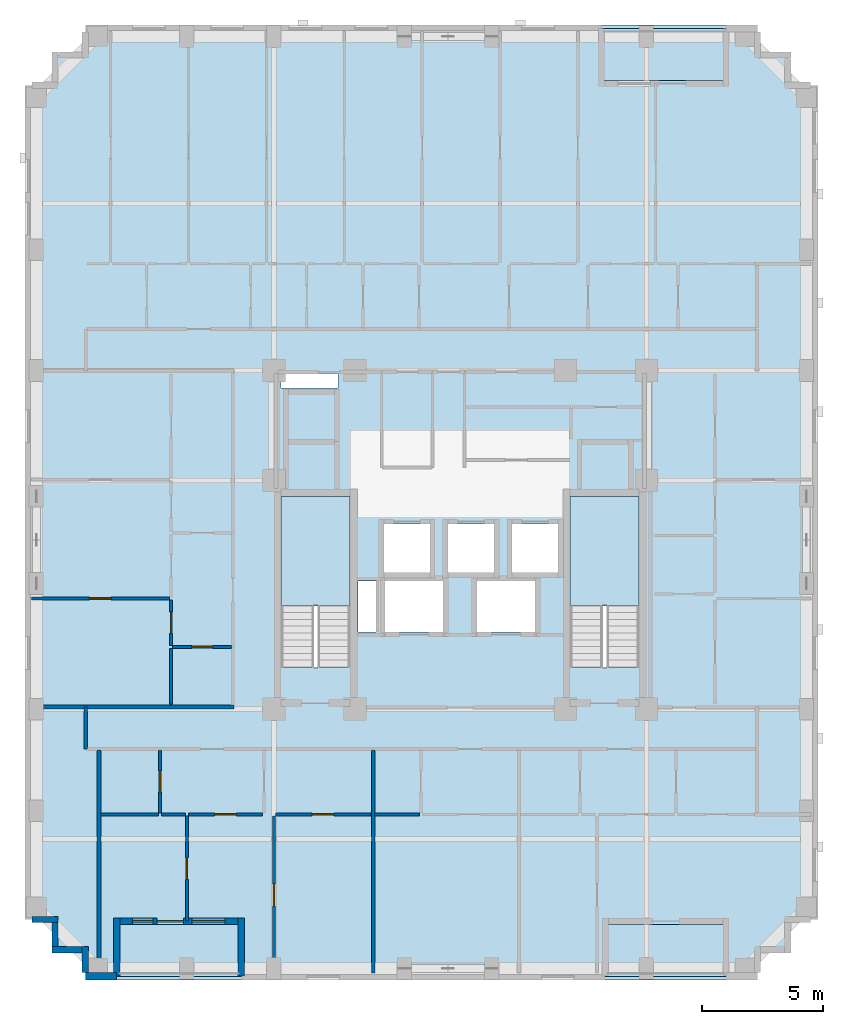
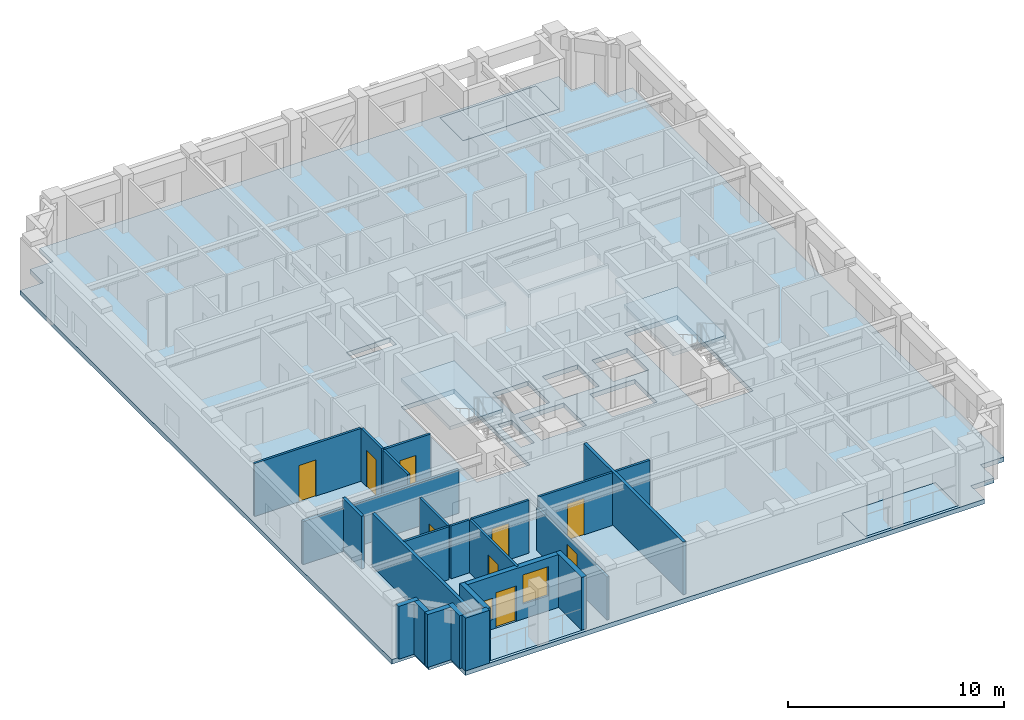
# One storey, part 2 of 11: 24 walls, 9 doors, 6 slabs, 2 windows, 11 openings, 2 elements without a shape of their own.
"""IFC4 building model written with IfcOpenShell, lengths in metres."""

from ifc_helpers import new_model, si_unit, derived_unit, direction, frame, frame_2d, origin, place, context, subcontext, project, spatial, polyline, rectangle, outline, extrude, material, layer, layer_set, type_object, element, fill, aggregate, save


model = new_model("IFC4")

# Units and contexts
model_context = context("Model", 3, precision=1e-05, world=origin(), true_north=direction((0.0, 1.0)))
body_context = subcontext(model_context, "Body", "Model", "MODEL_VIEW")
ifc_project = project(units=[si_unit("LENGTHUNIT", "METRE"), si_unit("AREAUNIT", "SQUARE_METRE"), si_unit("VOLUMEUNIT", "CUBIC_METRE"), si_unit("PLANEANGLEUNIT", "RADIAN"), si_unit("MASSUNIT", "GRAM", prefix="KILO"), derived_unit("THERMALTRANSMITTANCEUNIT", [(si_unit("MASSUNIT", "GRAM", prefix="KILO"), 1), (si_unit("TIMEUNIT", "SECOND"), -3), (si_unit("THERMODYNAMICTEMPERATUREUNIT", "KELVIN"), -1)])], contexts=[model_context])

# Site, building, storey
site_placement = place(None, origin())
site = spatial("IfcSite", under=ifc_project, at=site_placement, CompositionType="ELEMENT")
building_placement = place(site_placement, origin())
building = spatial("IfcBuilding", under=site, at=building_placement, Name="Korrvale Station Residences", CompositionType="ELEMENT")
storey_placement = place(building_placement, frame((0.0, 0.0, 156.89990234375)))
storey = spatial("IfcBuildingStorey", under=building, at=storey_placement, Name="L45", CompositionType="ELEMENT", Elevation=156.89990234375)

# Slabs
ifc_material_1 = material(Name="Concrete C50/60", Category="concrete")
ifc_layer_1 = layer(ifc_material_1, 0.219970703125, Name="Concrete C50/60")
ifc_layer_set_1 = layer_set([ifc_layer_1], Name="Concrete C50/60")
slab_type_1 = type_object("IfcSlabType", Name="SLB-BAL-220", PredefinedType="FLOOR", material=ifc_layer_set_1)
slab_1_placement = place(storey_placement, frame((0.0, 0.0, -0.219970703125)))
element("IfcSlab", 1, at=slab_1_placement, inside=storey, type_object=slab_type_1, Name="L45 Recessed Loggia Balcony Slab BAL-L45-S1", PredefinedType="FLOOR", context=body_context, shape_type="SweptSolid", body=[
    extrude(outline(polyline([(11.300048828125, 3.949951171875), (16.449951171875, 3.949951171875), (16.449951171875, 6.10009765625), (11.300048828125, 6.10009765625), (11.300048828125, 3.949951171875)])), origin(), (0.0, 0.0, 1.0), 0.219970703125),
])
slab_2_placement = place(storey_placement, frame((0.0, 0.0, -0.219970703125)))
element("IfcSlab", 2, at=slab_2_placement, inside=storey, type_object=slab_type_1, Name="L45 Recessed Loggia Balcony Slab BAL-L45-N1", PredefinedType="FLOOR", context=body_context, shape_type="SweptSolid", body=[
    extrude(outline(polyline([(31.35009765625, 41.0), (36.5, 41.0), (36.5, 43.14990234375), (31.35009765625, 43.14990234375), (31.35009765625, 41.0)])), origin(), (0.0, 0.0, 1.0), 0.219970703125),
])
slab_3_placement = place(storey_placement, frame((0.0, 0.0, -0.219970703125)))
element("IfcSlab", 3, at=slab_3_placement, inside=storey, type_object=slab_type_1, Name="L45 Recessed Loggia Balcony Slab BAL-L45-S2", PredefinedType="FLOOR", context=body_context, shape_type="SweptSolid", body=[
    extrude(outline(polyline([(31.5, 3.949951171875), (36.5, 3.949951171875), (36.5, 6.10009765625), (31.5, 6.10009765625), (31.5, 3.949951171875)])), origin(), (0.0, 0.0, 1.0), 0.219970703125),
])
ifc_layer_2 = layer(ifc_material_1, 0.260009765625, Name="Concrete C50/60")
ifc_layer_set_2 = layer_set([ifc_layer_2], Name="Concrete C50/60")
slab_type_2 = type_object("IfcSlabType", Name="SLB-FLR-260", PredefinedType="FLOOR", material=ifc_layer_set_2)
slab_4_placement = place(storey_placement, frame((0.0, 0.0, -0.260009765625)))
element("IfcSlab", 4, at=slab_4_placement, inside=storey, type_object=slab_type_2, Name="L45 Suspended Structural Floor Slab", PredefinedType="FLOOR", context=body_context, shape_type="SweptSolid", body=[
    extrude(outline(polyline([(10.0, 3.800048828125), (37.800048828125, 3.800048828125), (37.800048828125, 5.050048828125), (39.050048828125, 5.050048828125), (39.050048828125, 6.300048828125), (40.300048828125, 6.300048828125), (40.300048828125, 40.800048828125), (39.050048828125, 40.800048828125), (39.050048828125, 42.050048828125), (37.800048828125, 42.050048828125), (37.800048828125, 43.300048828125), (10.0, 43.300048828125), (10.0, 42.050048828125), (8.75, 42.050048828125), (8.75, 40.800048828125), (7.5, 40.800048828125), (7.5, 6.300048828125), (8.75, 6.300048828125), (8.75, 5.050048828125), (10.0, 5.050048828125), (10.0, 3.800048828125)]), holes=[polyline([(20.949951171875, 16.751953125), (20.949951171875, 23.800048828125), (18.10009765625, 23.800048828125), (18.10009765625, 16.751953125), (20.949951171875, 16.751953125)]), polyline([(32.89990234375, 16.751953125), (32.89990234375, 23.800048828125), (30.050048828125, 23.800048828125), (30.050048828125, 16.751953125), (32.89990234375, 16.751953125)]), polyline([(22.35009765625, 20.64990234375), (24.25, 20.64990234375), (24.25, 22.64990234375), (22.35009765625, 22.64990234375), (22.35009765625, 20.64990234375)]), polyline([(25.0, 20.64990234375), (26.89990234375, 20.64990234375), (26.89990234375, 22.64990234375), (25.0, 22.64990234375), (25.0, 20.64990234375)]), polyline([(27.64990234375, 20.64990234375), (29.550048828125, 20.64990234375), (29.550048828125, 22.64990234375), (27.64990234375, 22.64990234375), (27.64990234375, 20.64990234375)]), polyline([(22.39990234375, 18.199951171875), (24.800048828125, 18.199951171875), (24.800048828125, 20.300048828125), (22.39990234375, 20.300048828125), (22.39990234375, 18.199951171875)]), polyline([(26.199951171875, 18.199951171875), (28.60009765625, 18.199951171875), (28.60009765625, 20.300048828125), (26.199951171875, 20.300048828125), (26.199951171875, 18.199951171875)]), polyline([(18.10009765625, 28.280029296875), (20.449951171875, 28.280029296875), (20.449951171875, 28.8798828125), (18.10009765625, 28.8798828125), (18.10009765625, 28.280029296875)]), polyline([(21.280029296875, 18.199951171875), (22.02001953125, 18.199951171875), (22.02001953125, 20.300048828125), (21.280029296875, 20.300048828125), (21.280029296875, 18.199951171875)]), polyline([(11.300048828125, 3.949951171875), (16.449951171875, 3.949951171875), (16.449951171875, 6.10009765625), (11.300048828125, 6.10009765625), (11.300048828125, 3.949951171875)]), polyline([(31.35009765625, 41.0), (36.5, 41.0), (36.5, 43.14990234375), (31.35009765625, 43.14990234375), (31.35009765625, 41.0)]), polyline([(31.5, 3.949951171875), (36.5, 3.949951171875), (36.5, 6.10009765625), (31.5, 6.10009765625), (31.5, 3.949951171875)])]), origin(), (0.0, 0.0, 1.0), 0.260009765625),
])

# Stair, slab
stair_type = type_object("IfcStairType", Name="STR-DL-1350-20R-1625", PredefinedType="HALF_TURN_STAIR", material=ifc_material_1)
stair_1_placement = place(storey_placement, origin())
stair_1 = element("IfcStair", 5, at=stair_1_placement, inside=storey, type_object=stair_type, Name="L45 Exit Stair 1", PredefinedType="HALF_TURN_STAIR")
ifc_layer_3 = layer(ifc_material_1, 0.199951171875, Name="Concrete C50/60")
ifc_layer_set_3 = layer_set([ifc_layer_3], Name="Concrete C50/60")
slab_type_3 = type_object("IfcSlabType", Name="SLB-LND-200", PredefinedType="LANDING", material=ifc_layer_set_3)
slab_5_placement = place(storey_placement, frame((0.0, 0.0, 1.425048828125)))
slab_5 = element("IfcSlab", 6, at=slab_5_placement, type_object=slab_type_3, Name="ST-1 landing 1", PredefinedType="LANDING", context=body_context, shape_type="SweptSolid", body=[
    extrude(outline(polyline([(20.949951171875, 19.27001953125), (20.949951171875, 23.800048828125), (18.10009765625, 23.800048828125), (18.10009765625, 19.27001953125), (20.949951171875, 19.27001953125)])), origin(), (0.0, 0.0, 1.0), 0.199951171875),
])
aggregate(stair_1, [slab_5])

stair_2_placement = place(storey_placement, origin())
stair_2 = element("IfcStair", 7, at=stair_2_placement, inside=storey, type_object=stair_type, Name="L45 Exit Stair 2", PredefinedType="HALF_TURN_STAIR")
slab_6_placement = place(storey_placement, frame((0.0, 0.0, 1.425048828125)))
slab_6 = element("IfcSlab", 8, at=slab_6_placement, type_object=slab_type_3, Name="ST-2 landing 1", PredefinedType="LANDING", context=body_context, shape_type="SweptSolid", body=[
    extrude(outline(polyline([(32.89990234375, 19.27001953125), (32.89990234375, 23.800048828125), (30.050048828125, 23.800048828125), (30.050048828125, 19.27001953125), (32.89990234375, 19.27001953125)])), origin(), (0.0, 0.0, 1.0), 0.199951171875),
])
aggregate(stair_2, [slab_6])

# Wall
ifc_material_2 = material(Name="Precast concrete C45/55", Category="concrete")
ifc_layer_4 = layer(ifc_material_2, 0.260009765625, Name="Precast concrete C45/55")
ifc_layer_set_4 = layer_set([ifc_layer_4], Name="Precast concrete C45/55")
wall_type_1 = type_object("IfcWallType", Name="WAL-EXT-LOG260", PredefinedType="SOLIDWALL", material=ifc_layer_set_4)
wall_1_placement = place(storey_placement, frame((16.449951171875, 3.9599609375, 0.0), z_axis=(0.0, 0.0, 1.0), x_axis=(0.0, 1.0, 0.0)))
element("IfcWall", 9, at=wall_1_placement, inside=storey, type_object=wall_type_1, Name="L45 Recessed Loggia Wall BAL-L45-S1-L", PredefinedType="SOLIDWALL", context=body_context, shape_type="SweptSolid", body=[
    extrude(rectangle(XDim=2.400146484375, YDim=0.260009765625, at=frame_2d((1.2001953125, 0.0))), origin(), (0.0, 0.0, 1.0), 2.989990234375),
])

# Wall, openings, door, windows
wall_2_placement = place(storey_placement, frame((16.31591796875, 6.22998046875, 0.0), z_axis=(0.0, 0.0, 1.0), x_axis=(-1.0, 0.0, 0.0)))
wall_2 = element("IfcWall", 10, at=wall_2_placement, inside=storey, type_object=wall_type_1, Name="L45 Recessed Loggia Wall BAL-L45-S1-B", PredefinedType="SOLIDWALL", context=body_context, shape_type="SweptSolid", body=[
    extrude(rectangle(XDim=4.8818359375, YDim=0.260009765625, at=frame_2d((2.44091796875, 0.0))), origin(), (0.0, 0.0, 1.0), 2.989990234375),
])
opening_1_placement = place(wall_2_placement, frame((2.256103515625, 0.0, 0.0)))
opening_1 = element("IfcOpeningElement", 11, at=opening_1_placement, cuts=wall_2, Name="Opening BD-01", PredefinedType="OPENING", context=body_context, shape_type="SweptSolid", body=[
    extrude(rectangle(XDim=1.10009765625, YDim=2.0, at=frame_2d((0.550048828125, 1.0))), frame((0.0, 0.14013671875, 0.0), z_axis=(0.0, -1.0, 0.0), x_axis=(1.0, 0.0, 0.0)), (0.0, 0.0, 1.0), 0.280029296875),
])
opening_2_placement = place(wall_2_placement, frame((3.51611328125, 0.0, 0.550048828125)))
opening_2 = element("IfcOpeningElement", 12, at=opening_2_placement, cuts=wall_2, Name="Opening W-11", PredefinedType="OPENING", context=body_context, shape_type="SweptSolid", body=[
    extrude(rectangle(XDim=0.85009765625, YDim=1.199951171875, at=frame_2d((0.425048828125, 0.60009765625))), frame((0.0, 0.14013671875, 0.0), z_axis=(0.0, -1.0, 0.0), x_axis=(1.0, 0.0, 0.0)), (0.0, 0.0, 1.0), 0.280029296875),
])
opening_3_placement = place(wall_2_placement, frame((0.544921875, 0.0, 0.85009765625)))
opening_3 = element("IfcOpeningElement", 13, at=opening_3_placement, cuts=wall_2, Name="Opening W-06", PredefinedType="OPENING", context=body_context, shape_type="SweptSolid", body=[
    extrude(rectangle(XDim=1.35009765625, YDim=1.64990234375, at=frame_2d((0.675048828125, 0.824951171875))), frame((0.0, 0.14013671875, 0.0), z_axis=(0.0, -1.0, 0.0), x_axis=(1.0, 0.0, 0.0)), (0.0, 0.0, 1.0), 0.280029296875),
])
ifc_material_3 = material(Name="Exterior thermally broken aluminium glazed balcony door", Category="aluminium")
door_type_1 = type_object("IfcDoorType", Name="DR-EXT-BAL", OperationType="NOTDEFINED", PredefinedType="DOOR", material=ifc_material_3)
door_1_placement = place(opening_1_placement, origin())
door_1 = element("IfcDoor", 14, at=door_1_placement, inside=storey, type_object=door_type_1, Name="L45 Loggia Balcony Door BAL-L45-S1", OperationType="SINGLE_SWING_LEFT", OverallHeight=2.0, OverallWidth=1.10009765625, PredefinedType="DOOR", context=body_context, shape_type="SweptSolid", body=[
    extrude(rectangle(XDim=1.10009765625, YDim=2.0, at=frame_2d((0.550048828125, 1.0))), frame((0.0, 0.02490234375, 0.0), z_axis=(0.0, -1.0, 0.0), x_axis=(1.0, 0.0, 0.0)), (0.0, 0.0, 1.0), 0.050048828125),
])
fill(opening_1, door_1)
ifc_material_4 = material(Name="Thermally broken aluminium frame with triple low-e glazing", Category="aluminium")
window_type_1 = type_object("IfcWindowType", Name="WIN-W06", PartitioningType="SINGLE_PANEL", PredefinedType="WINDOW", material=ifc_material_4)
window_1_placement = place(opening_3_placement, origin())
window_1 = element("IfcWindow", 15, at=window_1_placement, inside=storey, type_object=window_type_1, Name="L45 Punched Window 02", OverallHeight=1.64990234375, OverallWidth=1.35009765625, PartitioningType="SINGLE_PANEL", PredefinedType="WINDOW", context=body_context, shape_type="SweptSolid", body=[
    extrude(rectangle(XDim=1.35009765625, YDim=1.64990234375, at=frame_2d((0.675048828125, 0.824951171875))), frame((0.0, 0.030029296875, 0.0), z_axis=(0.0, -1.0, 0.0), x_axis=(1.0, 0.0, 0.0)), (0.0, 0.0, 1.0), 0.06005859375),
])
fill(opening_3, window_1)
window_type_2 = type_object("IfcWindowType", Name="WIN-W11", PartitioningType="SINGLE_PANEL", PredefinedType="WINDOW", material=ifc_material_4)
window_2_placement = place(opening_2_placement, origin())
window_2 = element("IfcWindow", 16, at=window_2_placement, inside=storey, type_object=window_type_2, Name="L45 Punched Window 01", OverallHeight=1.199951171875, OverallWidth=0.85009765625, PartitioningType="SINGLE_PANEL", PredefinedType="WINDOW", context=body_context, shape_type="SweptSolid", body=[
    extrude(rectangle(XDim=0.85009765625, YDim=1.199951171875, at=frame_2d((0.425048828125, 0.60009765625))), frame((0.0, 0.030029296875, 0.0), z_axis=(0.0, -1.0, 0.0), x_axis=(1.0, 0.0, 0.0)), (0.0, 0.0, 1.0), 0.06005859375),
])
fill(opening_2, window_2)

# Walls
wall_3_placement = place(storey_placement, frame((11.300048828125, 6.360107421875, 0.0), z_axis=(0.0, 0.0, 1.0), x_axis=(0.0, -1.0, 0.0)))
element("IfcWall", 17, at=wall_3_placement, inside=storey, type_object=wall_type_1, Name="L45 Recessed Loggia Wall BAL-L45-S1-R", PredefinedType="SOLIDWALL", context=body_context, shape_type="SweptSolid", body=[
    extrude(rectangle(XDim=2.400146484375, YDim=0.260009765625, at=frame_2d((1.2001953125, 0.0))), origin(), (0.0, 0.0, 1.0), 2.989990234375),
])
wall_4_placement = place(storey_placement, frame((10.0, 4.10205078125, 0.0), z_axis=(0.0, 0.0, 1.0), x_axis=(0.0, 1.0, 0.0)))
element("IfcWall", 18, at=wall_4_placement, inside=storey, type_object=wall_type_1, Name="L45 Serrated Corner Precast Step SW-1", PredefinedType="SOLIDWALL", context=body_context, shape_type="SweptSolid", body=[
    extrude(rectangle(XDim=1.077880859375, YDim=0.260009765625, at=frame_2d((0.5390625, 0.0))), origin(), (0.0, 0.0, 1.0), 2.989990234375),
])
wall_5_placement = place(storey_placement, frame((9.867919921875, 5.050048828125, 0.0), z_axis=(0.0, 0.0, 1.0), x_axis=(-1.0, 0.0, 0.0)))
element("IfcWall", 19, at=wall_5_placement, inside=storey, type_object=wall_type_1, Name="L45 Serrated Corner Precast Step SW-2", PredefinedType="SOLIDWALL", context=body_context, shape_type="SweptSolid", body=[
    extrude(rectangle(XDim=1.247802734375, YDim=0.260009765625, at=frame_2d((0.6240234375, 0.0))), origin(), (0.0, 0.0, 1.0), 2.989990234375),
])
wall_6_placement = place(storey_placement, frame((8.75, 5.181884765625, 0.0), z_axis=(0.0, 0.0, 1.0), x_axis=(0.0, 1.0, 0.0)))
element("IfcWall", 20, at=wall_6_placement, inside=storey, type_object=wall_type_1, Name="L45 Serrated Corner Precast Step SW-3", PredefinedType="SOLIDWALL", context=body_context, shape_type="SweptSolid", body=[
    extrude(rectangle(XDim=0.986083984375, YDim=0.260009765625, at=frame_2d((0.4931640625, 0.0))), origin(), (0.0, 0.0, 1.0), 2.989990234375),
])
wall_7_placement = place(storey_placement, frame((8.8798828125, 6.300048828125, 0.0), z_axis=(0.0, 0.0, 1.0), x_axis=(-1.0, 0.0, 0.0)))
element("IfcWall", 21, at=wall_7_placement, inside=storey, type_object=wall_type_1, Name="L45 Serrated Corner Precast Step SW-4", PredefinedType="SOLIDWALL", context=body_context, shape_type="SweptSolid", body=[
    extrude(rectangle(XDim=1.077880859375, YDim=0.260009765625, at=frame_2d((0.5390625, 0.0))), origin(), (0.0, 0.0, 1.0), 2.989990234375),
])
ifc_layer_5 = layer(ifc_material_2, 0.300048828125, Name="Precast concrete C45/55")
ifc_layer_set_5 = layer_set([ifc_layer_5], Name="Precast concrete C45/55")
wall_type_2 = type_object("IfcWallType", Name="WAL-EXT-PC300", PredefinedType="SOLIDWALL", material=ifc_layer_set_5)
wall_8_placement = place(storey_placement, frame((11.300048828125, 3.949951171875, 0.0), z_axis=(0.0, 0.0, 1.0), x_axis=(-1.0, 0.0, 0.0)))
element("IfcWall", 22, at=wall_8_placement, inside=storey, type_object=wall_type_2, Name="L45 South Exterior Precast Wall 3", PredefinedType="SOLIDWALL", context=body_context, shape_type="SweptSolid", body=[
    extrude(rectangle(XDim=1.300048828125, YDim=0.300048828125, at=frame_2d((0.64990234375, 0.0))), origin(), (0.0, 0.0, 1.0), 2.989990234375),
])

# Wall, opening, door
ifc_material_5 = material(Name="Acoustic steel-stud gypsum board partition", Category="steel")
ifc_layer_6 = layer(ifc_material_5, 0.1201171875, Name="Acoustic steel-stud gypsum board partition")
ifc_layer_set_6 = layer_set([ifc_layer_6], Name="Acoustic steel-stud gypsum board partition")
wall_type_3 = type_object("IfcWallType", Name="WAL-PART-125", PredefinedType="PARTITIONING", material=ifc_layer_set_6)
wall_9_placement = place(storey_placement, frame((13.090087890625, 10.7099609375, 0.0), z_axis=(0.0, 0.0, 1.0), x_axis=(0.0, 1.0, 0.0)))
wall_9 = element("IfcWall", 23, at=wall_9_placement, inside=storey, type_object=wall_type_3, Name="L45 Suite Partition U01-V01", PredefinedType="PARTITIONING", context=body_context, shape_type="SweptSolid", body=[
    extrude(rectangle(XDim=2.60009765625, YDim=0.1201171875, at=frame_2d((1.300048828125, 0.0))), origin(), (0.0, 0.0, 1.0), 2.989990234375),
])
opening_4_placement = place(wall_9_placement, frame((0.8701171875, 0.0, 0.0)))
opening_4 = element("IfcOpeningElement", 24, at=opening_4_placement, cuts=wall_9, Name="Opening DB-860", PredefinedType="OPENING", context=body_context, shape_type="SweptSolid", body=[
    extrude(rectangle(XDim=0.860107421875, YDim=2.050048828125, at=frame_2d((0.43017578125, 1.02490234375))), frame((0.0, 0.070068359375, 0.0), z_axis=(0.0, -1.0, 0.0), x_axis=(1.0, 0.0, 0.0)), (0.0, 0.0, 1.0), 0.14013671875),
])
ifc_material_6 = material(Name="Moisture-resistant solid-core bathroom door", Category="timber")
door_type_2 = type_object("IfcDoorType", Name="DR-BATH-860", OperationType="NOTDEFINED", PredefinedType="DOOR", material=ifc_material_6)
door_2_placement = place(opening_4_placement, origin())
door_2 = element("IfcDoor", 25, at=door_2_placement, inside=storey, type_object=door_type_2, Name="L45 Apartment 1BR L45-U01 Bathroom Door", OperationType="SINGLE_SWING_LEFT", OverallHeight=2.050048828125, OverallWidth=0.860107421875, PredefinedType="DOOR", context=body_context, shape_type="SweptSolid", body=[
    extrude(rectangle(XDim=0.860107421875, YDim=2.050048828125, at=frame_2d((0.43017578125, 1.02490234375))), frame((0.0, 0.02490234375, 0.0), z_axis=(0.0, -1.0, 0.0), x_axis=(1.0, 0.0, 0.0)), (0.0, 0.0, 1.0), 0.050048828125),
])
fill(opening_4, door_2)

# Walls
wall_10_placement = place(storey_placement, frame((10.6298828125, 10.64990234375, 0.0), z_axis=(0.0, 0.0, 1.0), x_axis=(1.0, 0.0, 0.0)))
element("IfcWall", 26, at=wall_10_placement, inside=storey, type_object=wall_type_3, Name="L45 Suite Partition U01-H03", PredefinedType="PARTITIONING", context=body_context, shape_type="SweptSolid", body=[
    extrude(rectangle(XDim=2.400146484375, YDim=0.1201171875, at=frame_2d((1.2001953125, 0.0))), origin(), (0.0, 0.0, 1.0), 2.989990234375),
])
wall_11_placement = place(storey_placement, frame((13.14990234375, 10.64990234375, 0.0), z_axis=(0.0, 0.0, 1.0), x_axis=(1.0, 0.0, 0.0)))
element("IfcWall", 27, at=wall_11_placement, inside=storey, type_object=wall_type_3, Name="L45 Suite Partition U01-H13", PredefinedType="PARTITIONING", context=body_context, shape_type="SweptSolid", body=[
    extrude(rectangle(XDim=0.989990234375, YDim=0.1201171875, at=frame_2d((0.4951171875, 0.0))), origin(), (0.0, 0.0, 1.0), 2.989990234375),
])

# Wall, opening, door
wall_12_placement = place(storey_placement, frame((14.260009765625, 10.64990234375, 0.0), z_axis=(0.0, 0.0, 1.0), x_axis=(1.0, 0.0, 0.0)))
wall_12 = element("IfcWall", 28, at=wall_12_placement, inside=storey, type_object=wall_type_3, Name="L45 Suite Partition U01-H14", PredefinedType="PARTITIONING", context=body_context, shape_type="SweptSolid", body=[
    extrude(rectangle(XDim=3.070068359375, YDim=0.1201171875, at=frame_2d((1.53515625, 0.0))), origin(), (0.0, 0.0, 1.0), 2.989990234375),
])
opening_5_placement = place(wall_12_placement, frame((1.0849609375, 0.0, 0.0)))
opening_5 = element("IfcOpeningElement", 29, at=opening_5_placement, cuts=wall_12, Name="Opening DI-900", PredefinedType="OPENING", context=body_context, shape_type="SweptSolid", body=[
    extrude(rectangle(XDim=0.89990234375, YDim=2.050048828125, at=frame_2d((0.449951171875, 1.02490234375))), frame((0.0, 0.070068359375, 0.0), z_axis=(0.0, -1.0, 0.0), x_axis=(1.0, 0.0, 0.0)), (0.0, 0.0, 1.0), 0.14013671875),
])
ifc_material_7 = material(Name="Painted solid-core timber interior room door", Category="wood")
door_type_3 = type_object("IfcDoorType", Name="DR-INT-900", OperationType="NOTDEFINED", PredefinedType="DOOR", material=ifc_material_7)
door_3_placement = place(opening_5_placement, origin())
door_3 = element("IfcDoor", 30, at=door_3_placement, inside=storey, type_object=door_type_3, Name="L45 Apartment 1BR L45-U01 Kitchen Door", OperationType="SINGLE_SWING_LEFT", OverallHeight=2.050048828125, OverallWidth=0.89990234375, PredefinedType="DOOR", context=body_context, shape_type="SweptSolid", body=[
    extrude(rectangle(XDim=0.89990234375, YDim=2.050048828125, at=frame_2d((0.449951171875, 1.02490234375))), frame((0.0, 0.02490234375, 0.0), z_axis=(0.0, -1.0, 0.0), x_axis=(1.0, 0.0, 0.0)), (0.0, 0.0, 1.0), 0.050048828125),
])
fill(opening_5, door_3)

wall_13_placement = place(storey_placement, frame((17.860107421875, 10.64990234375, 0.0), z_axis=(0.0, 0.0, 1.0), x_axis=(1.0, 0.0, 0.0)))
wall_13 = element("IfcWall", 31, at=wall_13_placement, inside=storey, type_object=wall_type_3, Name="L45 Suite Partition U01-H25", PredefinedType="PARTITIONING", context=body_context, shape_type="SweptSolid", body=[
    extrude(rectangle(XDim=3.947998046875, YDim=0.1201171875, at=frame_2d((1.97412109375, 0.0))), origin(), (0.0, 0.0, 1.0), 2.989990234375),
])
opening_6_placement = place(wall_13_placement, frame((1.52392578125, 0.0, 0.0)))
opening_6 = element("IfcOpeningElement", 32, at=opening_6_placement, cuts=wall_13, Name="Opening DI-900", PredefinedType="OPENING", context=body_context, shape_type="SweptSolid", body=[
    extrude(rectangle(XDim=0.89990234375, YDim=2.050048828125, at=frame_2d((0.449951171875, 1.02490234375))), frame((0.0, 0.070068359375, 0.0), z_axis=(0.0, -1.0, 0.0), x_axis=(1.0, 0.0, 0.0)), (0.0, 0.0, 1.0), 0.14013671875),
])
door_4_placement = place(opening_6_placement, origin())
door_4 = element("IfcDoor", 33, at=door_4_placement, inside=storey, type_object=door_type_3, Name="L45 Apartment 1BR L45-U01 Home Study Room Door", OperationType="SINGLE_SWING_RIGHT", OverallHeight=2.050048828125, OverallWidth=0.89990234375, PredefinedType="DOOR", context=body_context, shape_type="SweptSolid", body=[
    extrude(rectangle(XDim=0.89990234375, YDim=2.050048828125, at=frame_2d((0.449951171875, 1.02490234375))), frame((0.0, 0.02490234375, 0.0), z_axis=(0.0, -1.0, 0.0), x_axis=(1.0, 0.0, 0.0)), (0.0, 0.0, 1.0), 0.050048828125),
])
fill(opening_6, door_4)

wall_14_placement = place(storey_placement, frame((14.199951171875, 6.22998046875, 0.0), z_axis=(0.0, 0.0, 1.0), x_axis=(0.0, 1.0, 0.0)))
wall_14 = element("IfcWall", 34, at=wall_14_placement, inside=storey, type_object=wall_type_3, Name="L45 Suite Partition U01-V34", PredefinedType="PARTITIONING", context=body_context, shape_type="SweptSolid", body=[
    extrude(rectangle(XDim=4.360107421875, YDim=0.1201171875, at=frame_2d((2.18017578125, 0.0))), origin(), (0.0, 0.0, 1.0), 2.989990234375),
])
opening_7_placement = place(wall_14_placement, frame((1.72998046875, 0.0, 0.0)))
opening_7 = element("IfcOpeningElement", 35, at=opening_7_placement, cuts=wall_14, Name="Opening DI-900", PredefinedType="OPENING", context=body_context, shape_type="SweptSolid", body=[
    extrude(rectangle(XDim=0.89990234375, YDim=2.050048828125, at=frame_2d((0.449951171875, 1.02490234375))), frame((0.0, 0.070068359375, 0.0), z_axis=(0.0, -1.0, 0.0), x_axis=(1.0, 0.0, 0.0)), (0.0, 0.0, 1.0), 0.14013671875),
])
door_5_placement = place(opening_7_placement, origin())
door_5 = element("IfcDoor", 36, at=door_5_placement, inside=storey, type_object=door_type_3, Name="L45 Apartment 1BR L45-U01 Living and Dining Room Door", OperationType="SINGLE_SWING_LEFT", OverallHeight=2.050048828125, OverallWidth=0.89990234375, PredefinedType="DOOR", context=body_context, shape_type="SweptSolid", body=[
    extrude(rectangle(XDim=0.89990234375, YDim=2.050048828125, at=frame_2d((0.449951171875, 1.02490234375))), frame((0.0, 0.02490234375, 0.0), z_axis=(0.0, -1.0, 0.0), x_axis=(1.0, 0.0, 0.0)), (0.0, 0.0, 1.0), 0.050048828125),
])
fill(opening_7, door_5)

wall_15_placement = place(storey_placement, frame((17.800048828125, 4.080078125, 0.0), z_axis=(0.0, 0.0, 1.0), x_axis=(0.0, 1.0, 0.0)))
wall_15 = element("IfcWall", 37, at=wall_15_placement, inside=storey, type_object=wall_type_3, Name="L45 Suite Partition U01-V45", PredefinedType="PARTITIONING", context=body_context, shape_type="SweptSolid", body=[
    extrude(rectangle(XDim=6.510009765625, YDim=0.1201171875, at=frame_2d((3.2548828125, 0.0))), origin(), (0.0, 0.0, 1.0), 2.442138671875),
])
opening_8_placement = place(wall_15_placement, frame((2.7900390625, 0.0, 0.0)))
opening_8 = element("IfcOpeningElement", 38, at=opening_8_placement, cuts=wall_15, Name="Opening DI-900", PredefinedType="OPENING", context=body_context, shape_type="SweptSolid", body=[
    extrude(rectangle(XDim=0.89990234375, YDim=2.050048828125, at=frame_2d((0.449951171875, 1.02490234375))), frame((0.0, 0.070068359375, 0.0), z_axis=(0.0, -1.0, 0.0), x_axis=(1.0, 0.0, 0.0)), (0.0, 0.0, 1.0), 0.14013671875),
])
door_6_placement = place(opening_8_placement, origin())
door_6 = element("IfcDoor", 39, at=door_6_placement, inside=storey, type_object=door_type_3, Name="L45 Apartment 1BR L45-U01 Formal Dining Room Door", OperationType="SINGLE_SWING_RIGHT", OverallHeight=2.050048828125, OverallWidth=0.89990234375, PredefinedType="DOOR", context=body_context, shape_type="SweptSolid", body=[
    extrude(rectangle(XDim=0.89990234375, YDim=2.050048828125, at=frame_2d((0.449951171875, 1.02490234375))), frame((0.0, 0.02490234375, 0.0), z_axis=(0.0, -1.0, 0.0), x_axis=(1.0, 0.0, 0.0)), (0.0, 0.0, 1.0), 0.050048828125),
])
fill(opening_8, door_6)

# Wall
wall_16_placement = place(storey_placement, frame((21.968017578125, 10.64990234375, 0.0), z_axis=(0.0, 0.0, 1.0), x_axis=(1.0, 0.0, 0.0)))
element("IfcWall", 40, at=wall_16_placement, inside=storey, type_object=wall_type_3, Name="L45 Suite Partition U02-H02", PredefinedType="PARTITIONING", context=body_context, shape_type="SweptSolid", body=[
    extrude(rectangle(XDim=1.85009765625, YDim=0.1201171875, at=frame_2d((0.925048828125, 0.0))), origin(), (0.0, 0.0, 1.0), 2.989990234375),
])

# Wall, opening, door
wall_17_placement = place(storey_placement, frame((13.610107421875, 17.570068359375, 0.0), z_axis=(0.0, 0.0, 1.0), x_axis=(1.0, 0.0, 0.0)))
wall_17 = element("IfcWall", 41, at=wall_17_placement, inside=storey, type_object=wall_type_3, Name="L45 Suite Partition U05-H12", PredefinedType="PARTITIONING", context=body_context, shape_type="SweptSolid", body=[
    extrude(rectangle(XDim=2.449951171875, YDim=0.1201171875, at=frame_2d((1.22509765625, 0.0))), origin(), (0.0, 0.0, 1.0), 2.989990234375),
])
opening_9_placement = place(wall_17_placement, frame((0.794921875, 0.0, 0.0)))
opening_9 = element("IfcOpeningElement", 42, at=opening_9_placement, cuts=wall_17, Name="Opening DB-860", PredefinedType="OPENING", context=body_context, shape_type="SweptSolid", body=[
    extrude(rectangle(XDim=0.860107421875, YDim=2.050048828125, at=frame_2d((0.43017578125, 1.02490234375))), frame((0.0, 0.070068359375, 0.0), z_axis=(0.0, -1.0, 0.0), x_axis=(1.0, 0.0, 0.0)), (0.0, 0.0, 1.0), 0.14013671875),
])
door_7_placement = place(opening_9_placement, origin())
door_7 = element("IfcDoor", 43, at=door_7_placement, inside=storey, type_object=door_type_2, Name="L45 Apartment 2BR L45-U05 Bathroom Door", OperationType="SINGLE_SWING_RIGHT", OverallHeight=2.050048828125, OverallWidth=0.860107421875, PredefinedType="DOOR", context=body_context, shape_type="SweptSolid", body=[
    extrude(rectangle(XDim=0.860107421875, YDim=2.050048828125, at=frame_2d((0.43017578125, 1.02490234375))), frame((0.0, 0.02490234375, 0.0), z_axis=(0.0, -1.0, 0.0), x_axis=(1.0, 0.0, 0.0)), (0.0, 0.0, 1.0), 0.050048828125),
])
fill(opening_9, door_7)

# Wall
wall_18_placement = place(storey_placement, frame((13.550048828125, 15.2099609375, 0.0), z_axis=(0.0, 0.0, 1.0), x_axis=(0.0, 1.0, 0.0)))
element("IfcWall", 44, at=wall_18_placement, inside=storey, type_object=wall_type_3, Name="L45 Suite Partition U05-V13", PredefinedType="PARTITIONING", context=body_context, shape_type="SweptSolid", body=[
    extrude(rectangle(XDim=2.300048828125, YDim=0.1201171875, at=frame_2d((1.14990234375, 0.0))), origin(), (0.0, 0.0, 1.0), 2.989990234375),
])

# Wall, opening, door
wall_19_placement = place(storey_placement, frame((13.550048828125, 17.6298828125, 0.0), z_axis=(0.0, 0.0, 1.0), x_axis=(0.0, 1.0, 0.0)))
wall_19 = element("IfcWall", 45, at=wall_19_placement, inside=storey, type_object=wall_type_3, Name="L45 Suite Partition U05-V23", PredefinedType="PARTITIONING", context=body_context, shape_type="SweptSolid", body=[
    extrude(rectangle(XDim=1.88818359375, YDim=0.1201171875, at=frame_2d((0.944091796875, 0.0))), origin(), (0.0, 0.0, 1.0), 2.989990234375),
])
opening_10_placement = place(wall_19_placement, frame((0.493896484375, 0.0, 0.0)))
opening_10 = element("IfcOpeningElement", 46, at=opening_10_placement, cuts=wall_19, Name="Opening DI-900", PredefinedType="OPENING", context=body_context, shape_type="SweptSolid", body=[
    extrude(rectangle(XDim=0.89990234375, YDim=2.050048828125, at=frame_2d((0.449951171875, 1.02490234375))), frame((0.0, 0.070068359375, 0.0), z_axis=(0.0, -1.0, 0.0), x_axis=(1.0, 0.0, 0.0)), (0.0, 0.0, 1.0), 0.14013671875),
])
door_8_placement = place(opening_10_placement, origin())
door_8 = element("IfcDoor", 47, at=door_8_placement, inside=storey, type_object=door_type_3, Name="L45 Apartment 2BR L45-U05 Kitchen Door", OperationType="SINGLE_SWING_LEFT", OverallHeight=2.050048828125, OverallWidth=0.89990234375, PredefinedType="DOOR", context=body_context, shape_type="SweptSolid", body=[
    extrude(rectangle(XDim=0.89990234375, YDim=2.050048828125, at=frame_2d((0.449951171875, 1.02490234375))), frame((0.0, 0.02490234375, 0.0), z_axis=(0.0, -1.0, 0.0), x_axis=(1.0, 0.0, 0.0)), (0.0, 0.0, 1.0), 0.050048828125),
])
fill(opening_10, door_8)

wall_20_placement = place(storey_placement, frame((7.780029296875, 19.577880859375, 0.0), z_axis=(0.0, 0.0, 1.0), x_axis=(1.0, 0.0, 0.0)))
wall_20 = element("IfcWall", 48, at=wall_20_placement, inside=storey, type_object=wall_type_3, Name="L45 Suite Partition U05-H34", PredefinedType="PARTITIONING", context=body_context, shape_type="SweptSolid", body=[
    extrude(rectangle(XDim=5.7099609375, YDim=0.1201171875, at=frame_2d((2.85498046875, 0.0))), origin(), (0.0, 0.0, 1.0), 2.989990234375),
])
opening_11_placement = place(wall_20_placement, frame((2.389892578125, 0.0, 0.0)))
opening_11 = element("IfcOpeningElement", 49, at=opening_11_placement, cuts=wall_20, Name="Opening DI-900", PredefinedType="OPENING", context=body_context, shape_type="SweptSolid", body=[
    extrude(rectangle(XDim=0.89990234375, YDim=2.050048828125, at=frame_2d((0.449951171875, 1.02490234375))), frame((0.0, 0.070068359375, 0.0), z_axis=(0.0, -1.0, 0.0), x_axis=(1.0, 0.0, 0.0)), (0.0, 0.0, 1.0), 0.14013671875),
])
door_9_placement = place(opening_11_placement, origin())
door_9 = element("IfcDoor", 50, at=door_9_placement, inside=storey, type_object=door_type_3, Name="L45 Apartment 2BR L45-U05 Bedroom 1 Door", OperationType="SINGLE_SWING_LEFT", OverallHeight=2.050048828125, OverallWidth=0.89990234375, PredefinedType="DOOR", context=body_context, shape_type="SweptSolid", body=[
    extrude(rectangle(XDim=0.89990234375, YDim=2.050048828125, at=frame_2d((0.449951171875, 1.02490234375))), frame((0.0, 0.02490234375, 0.0), z_axis=(0.0, -1.0, 0.0), x_axis=(1.0, 0.0, 0.0)), (0.0, 0.0, 1.0), 0.050048828125),
])
fill(opening_11, door_9)

# Walls
ifc_material_8 = material(Name="Fire-rated twin-stud gypsum and mineral wool shaftwall assembly", Category="gypsum")
ifc_layer_7 = layer(ifc_material_8, 0.159912109375, Name="Fire-rated twin-stud gypsum and mineral wool shaftwall assembly")
ifc_layer_set_7 = layer_set([ifc_layer_7], Name="Fire-rated twin-stud gypsum and mineral wool shaftwall assembly")
wall_type_4 = type_object("IfcWallType", Name="WAL-PART-200", PredefinedType="PARTITIONING", material=ifc_layer_set_7)
wall_21_placement = place(storey_placement, frame((10.02001953125, 13.35009765625, 0.0), z_axis=(0.0, 0.0, 1.0), x_axis=(0.0, 1.0, 0.0)))
element("IfcWall", 51, at=wall_21_placement, inside=storey, type_object=wall_type_4, Name="L45 Corridor South West Cap", PredefinedType="PARTITIONING", context=body_context, shape_type="SweptSolid", body=[
    extrude(rectangle(XDim=1.739990234375, YDim=0.159912109375, at=frame_2d((0.8701171875, 0.0))), origin(), (0.0, 0.0, 1.0), 2.989990234375),
])
wall_22_placement = place(storey_placement, frame((7.780029296875, 15.090087890625, 0.0), z_axis=(0.0, 0.0, 1.0), x_axis=(1.0, 0.0, 0.0)))
element("IfcWall", 52, at=wall_22_placement, inside=storey, type_object=wall_type_4, Name="L45 West Wing South Corridor Wall", PredefinedType="PARTITIONING", context=body_context, shape_type="SweptSolid", body=[
    extrude(rectangle(XDim=8.35986328125, YDim=0.159912109375, at=frame_2d((4.179931640625, 0.0))), origin(), (0.0, 0.0, 1.0), 2.442138671875),
])
for number, where, z_axis, x_axis, name in (
    (53, (10.570068359375, 4.080078125, 0.0), (0.0, 0.0, 1.0), (0.0, 1.0, 0.0), "L45 Demising Wall U01-W"),
    (54, (21.907958984375, 4.080078125, 0.0), (0.0, 0.0, 1.0), (0.0, 1.0, 0.0), "L45 Demising Wall U02-W"),
):
    element("IfcWall", number, at=place(storey_placement, frame(where, z_axis=z_axis, x_axis=x_axis)), inside=storey, type_object=wall_type_4, Name=name, PredefinedType="PARTITIONING", context=body_context, shape_type="SweptSolid", body=[
        extrude(rectangle(XDim=9.22998046875, YDim=0.159912109375, at=frame_2d((4.614990234375, 0.0))), origin(), (0.0, 0.0, 1.0), 2.989990234375),
    ])

save(model, "model.ifc")
